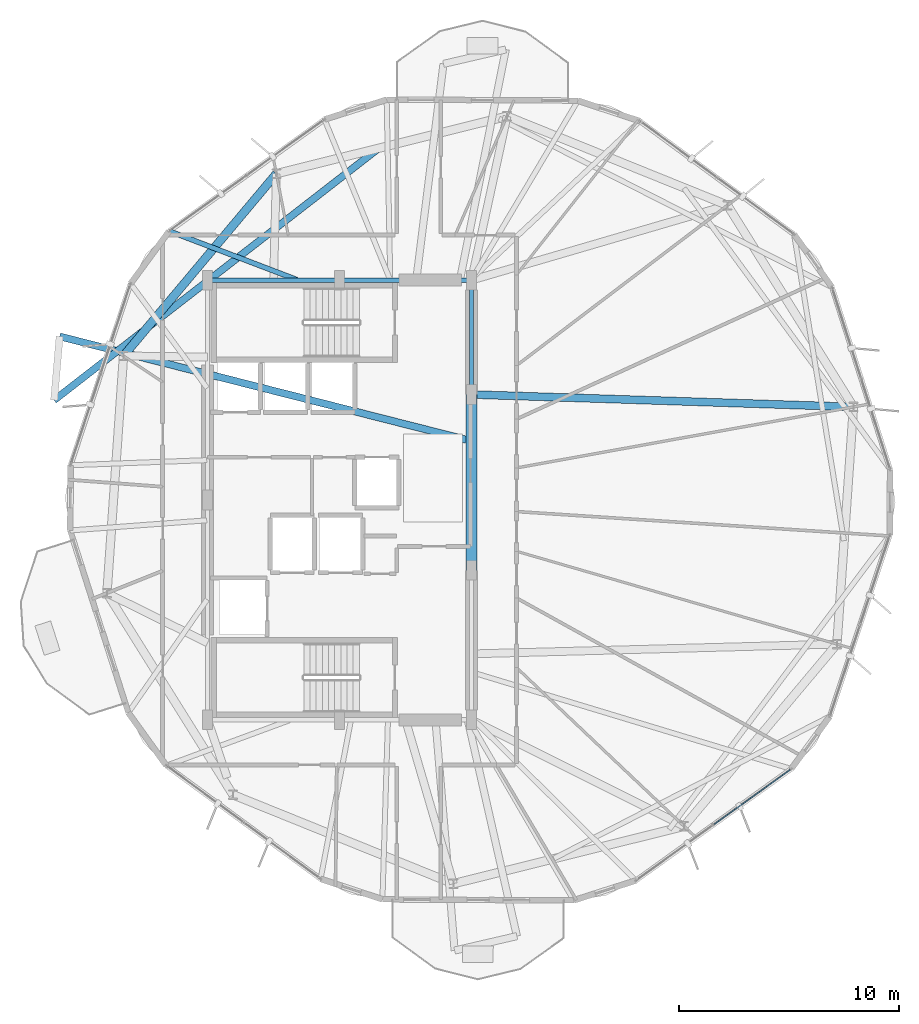
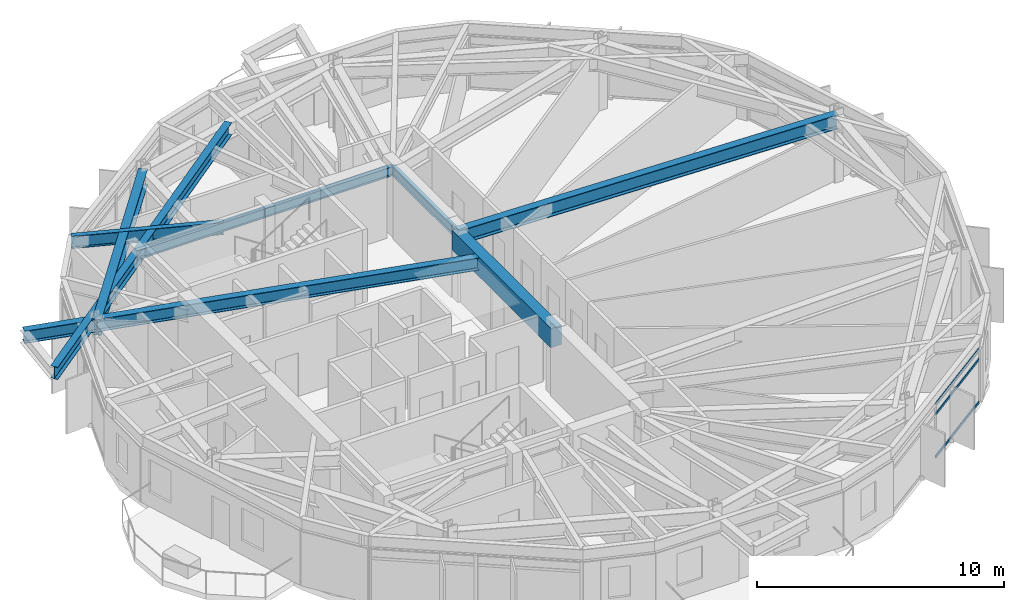
# One storey, part 7 of 24: 9 beams, 3 members, 1 element without a shape of its own.
"""IFC4 building model written with IfcOpenShell, lengths in metres."""

from ifc_helpers import new_model, si_unit, direction, frame, origin, origin_2d, place, context, subcontext, project, spatial, rectangle, hollow_rectangle, i_section, extrude, material, layer, layer_set, material_profile, profile_set, type_object, element, aggregate, save


model = new_model("IFC4")

# Units and contexts
model_context = context("Model", 3, precision=1e-05, world=origin(), true_north=direction((0.0, 1.0)))
body_context = subcontext(model_context, "Body", "Model", "MODEL_VIEW")
ifc_project = project(units=[si_unit("LENGTHUNIT", "METRE"), si_unit("AREAUNIT", "SQUARE_METRE"), si_unit("VOLUMEUNIT", "CUBIC_METRE"), si_unit("PLANEANGLEUNIT", "RADIAN"), si_unit("MASSUNIT", "GRAM", prefix="KILO")], contexts=[model_context])

# Site, building, storey
site_placement = place(None, origin())
site = spatial("IfcSite", under=ifc_project, at=site_placement, CompositionType="ELEMENT")
building_placement = place(site_placement, origin())
building = spatial("IfcBuilding", under=site, at=building_placement, Name="Soratama Intermodal Tower", CompositionType="ELEMENT")
storey_placement = place(building_placement, frame((0.0, 0.0, 164.199951171875)))
storey = spatial("IfcBuildingStorey", under=building, at=storey_placement, Name="L40", CompositionType="ELEMENT", Elevation=164.199951171875)

# Beams
ifc_material_1 = material(Name="Structural steel ASTM A992 Grade 50", Category="steel")
ifc_material_profile_1 = material_profile(ifc_material_1, i_section(OverallWidth=0.324951171875, OverallDepth=0.615966796875, WebThickness=0.013916015625, FlangeThickness=0.021484375, FilletRadius=0.013916015625, at=origin_2d()), Name="W24X117")
ifc_profile_set_1 = profile_set([ifc_material_profile_1], Name="Structural steel ASTM A992 Grade 50")
beam_type_1 = type_object("IfcBeamType", Name="BM-CANT-W24X117", PredefinedType="BEAM", material=ifc_profile_set_1)
beam_1_placement = place(storey_placement, frame((44.3720703125, 27.740966796875, 2.991943359375), z_axis=(-0.969240017785, 0.246117427105, 0.0), x_axis=(-0.246117427105, -0.969240017785, 0.0)))
element("IfcBeam", 1, at=beam_1_placement, inside=storey, type_object=beam_type_1, Name="BM-L40-CANT-2-1", PredefinedType="BEAM", context=body_context, shape_type="SweptSolid", body=[
    extrude(i_section(OverallWidth=0.324951171875, OverallDepth=0.615966796875, WebThickness=0.013916015625, FlangeThickness=0.021484375, FilletRadius=0.013916015625, at=origin_2d()), origin(), (0.0, 0.0, 1.0), 19.092529296875),
])
beam_2_placement = place(storey_placement, frame((40.35400390625, 40.97802734375, 2.991943359375), z_axis=(-0.790030397769, -0.613067672122, 0.0), x_axis=(0.613067672122, -0.790030397769, 0.0)))
element("IfcBeam", 2, at=beam_2_placement, inside=storey, type_object=beam_type_1, Name="BM-L40-CANT-2-2", PredefinedType="BEAM", context=body_context, shape_type="SweptSolid", body=[
    extrude(i_section(OverallWidth=0.324951171875, OverallDepth=0.615966796875, WebThickness=0.013916015625, FlangeThickness=0.021484375, FilletRadius=0.013916015625, at=origin_2d()), origin(), (0.0, 0.0, 1.0), 18.65380859375),
])
ifc_material_2 = material(Name="Concrete f'c 56 MPa", Category="concrete")
ifc_material_profile_2 = material_profile(ifc_material_2, rectangle(XDim=0.5, YDim=0.949951171875, at=origin_2d()), Name="RC500X950")
ifc_profile_set_2 = profile_set([ifc_material_profile_2], Name="Concrete f'c 56 MPa")
beam_type_2 = type_object("IfcBeamType", Name="BM-CPL-RC500X950", PredefinedType="BEAM", material=ifc_profile_set_2)
beam_3_placement = place(storey_placement, frame((44.60009765625, 21.800048828125, 2.824951171875), z_axis=(0.0, 1.0, 0.0), x_axis=(-1.0, 0.0, 0.0)))
element("IfcBeam", 3, at=beam_3_placement, inside=storey, type_object=beam_type_2, Name="L40 Core Coupling Beam East", PredefinedType="BEAM", context=body_context, shape_type="SweptSolid", body=[
    extrude(rectangle(XDim=0.5, YDim=0.949951171875, at=origin_2d()), origin(), (0.0, 0.0, 1.0), 8.0),
])
ifc_material_3 = material(Name="Structural steel ASTM A992 Grade 50", Category="steel")
ifc_material_profile_3 = material_profile(ifc_material_3, i_section(OverallWidth=0.19091796875, OverallDepth=0.4599609375, WebThickness=0.010009765625, FlangeThickness=0.01611328125, FilletRadius=0.010986328125, at=origin_2d()), Name="W18X55")
ifc_profile_set_3 = profile_set([ifc_material_profile_3], Name="Structural steel ASTM A992 Grade 50")
beam_type_3 = type_object("IfcBeamType", Name="BM-FLR-W18X55", PredefinedType="BEAM", material=ifc_profile_set_3)
beam_4_placement = place(storey_placement, frame((44.60009765625, 29.800048828125, 3.070068359375), z_axis=(0.0, 1.0, 0.0), x_axis=(-1.0, 0.0, 0.0)))
element("IfcBeam", 4, at=beam_4_placement, inside=storey, type_object=beam_type_3, Name="BM-L40-CRING-05", PredefinedType="BEAM", context=body_context, shape_type="SweptSolid", body=[
    extrude(i_section(OverallWidth=0.19091796875, OverallDepth=0.4599609375, WebThickness=0.010009765625, FlangeThickness=0.01611328125, FilletRadius=0.010986328125, at=origin_2d()), origin(), (0.0, 0.0, 1.0), 5.199951171875),
])
for number, where, z_axis, x_axis, name in (
    (5, (44.60009765625, 35.0, 3.070068359375), (-1.0, 0.0, 0.0), (0.0, -1.0, 0.0), "BM-L40-CRING-06"),
    (6, (38.60009765625, 35.0, 3.070068359375), (-1.0, 0.0, 0.0), (0.0, -1.0, 0.0), "BM-L40-CRING-07"),
):
    element("IfcBeam", number, at=place(storey_placement, frame(where, z_axis=z_axis, x_axis=x_axis)), inside=storey, type_object=beam_type_3, Name=name, PredefinedType="BEAM", context=body_context, shape_type="SweptSolid", body=[
        extrude(i_section(OverallWidth=0.19091796875, OverallDepth=0.4599609375, WebThickness=0.010009765625, FlangeThickness=0.01611328125, FilletRadius=0.010986328125, at=origin_2d()), origin(), (0.0, 0.0, 1.0), 6.0),
    ])
ifc_material_4 = material(Name="Structural steel ASTM A992 Grade 50", Category="steel")
ifc_material_profile_4 = material_profile(ifc_material_4, i_section(OverallWidth=0.35498046875, OverallDepth=0.695068359375, WebThickness=0.015380859375, FlangeThickness=0.02490234375, FilletRadius=0.01611328125, at=origin_2d()), Name="W27X146")
ifc_profile_set_4 = profile_set([ifc_material_profile_4], Name="Structural steel ASTM A992 Grade 50")
beam_type_4 = type_object("IfcBeamType", Name="BM-RING-W27X146", PredefinedType="BEAM", material=ifc_profile_set_4)
beam_5_placement = place(storey_placement, frame((44.60009765625, 29.800048828125, 2.95263671875), z_axis=(0.999469833309, -0.032558444449, 0.0), x_axis=(0.032558444449, 0.999469833309, 0.0)))
element("IfcBeam", 7, at=beam_5_placement, inside=storey, type_object=beam_type_4, Name="BM-L40-RAD-01", PredefinedType="BEAM", context=body_context, shape_type="SweptSolid", body=[
    extrude(i_section(OverallWidth=0.35498046875, OverallDepth=0.695068359375, WebThickness=0.015380859375, FlangeThickness=0.02490234375, FilletRadius=0.01611328125, at=origin_2d()), origin(), (0.0, 0.0, 1.0), 17.38916015625),
])
ifc_material_5 = material(Name="Structural steel ASTM A992 Grade 50", Category="steel")
ifc_material_profile_5 = material_profile(ifc_material_5, i_section(OverallWidth=0.382080078125, OverallDepth=0.779052734375, WebThickness=0.01806640625, FlangeThickness=0.030029296875, FilletRadius=0.01806640625, at=origin_2d()), Name="W30X191")
ifc_profile_set_5 = profile_set([ifc_material_profile_5], Name="Structural steel ASTM A992 Grade 50")
beam_type_5 = type_object("IfcBeamType", Name="BM-RING-W30X191", PredefinedType="BEAM", material=ifc_profile_set_5)
beam_6_placement = place(storey_placement, frame((35.72607421875, 39.841064453125, 2.91064453125), z_axis=(-0.642791781199, -0.766040942785, 0.0), x_axis=(0.766040942785, -0.642791781199, 0.0)))
element("IfcBeam", 8, at=beam_6_placement, inside=storey, type_object=beam_type_5, Name="BM-L40-RING-04", PredefinedType="BEAM", context=body_context, shape_type="SweptSolid", body=[
    extrude(i_section(OverallWidth=0.382080078125, OverallDepth=0.779052734375, WebThickness=0.01806640625, FlangeThickness=0.030029296875, FilletRadius=0.01806640625, at=origin_2d()), origin(), (0.0, 0.0, 1.0), 10.815673828125),
])
ifc_material_6 = material(Name="Structural steel ASTM A992 Grade 50", Category="steel")
ifc_material_profile_6 = material_profile(ifc_material_6, i_section(OverallWidth=0.22900390625, OverallDepth=0.612060546875, WebThickness=0.011962890625, FlangeThickness=0.01953125, FilletRadius=0.012939453125, at=origin_2d()), Name="W24X84")
ifc_profile_set_6 = profile_set([ifc_material_profile_6], Name="Structural steel ASTM A992 Grade 50")
beam_type_6 = type_object("IfcBeamType", Name="BM-TIE-W24X84", PredefinedType="BEAM", material=ifc_profile_set_6)
beam_7_placement = place(storey_placement, frame((36.679931640625, 35.013916015625, 2.994140625), z_axis=(-0.934516875199, 0.355918824971, 0.0), x_axis=(-0.355918824971, -0.934516875199, 0.0)))
element("IfcBeam", 9, at=beam_7_placement, inside=storey, type_object=beam_type_6, Name="BM-L40-TIE1-03", PredefinedType="BEAM", context=body_context, shape_type="SweptSolid", body=[
    extrude(i_section(OverallWidth=0.22900390625, OverallDepth=0.612060546875, WebThickness=0.011962890625, FlangeThickness=0.01953125, FilletRadius=0.012939453125, at=origin_2d()), origin(), (0.0, 0.0, 1.0), 6.2373046875),
])

# Curtain wall, members
ifc_material_7 = material(Name="Double-glazed aluminium curtain wall", Category="aluminium")
ifc_layer = layer(ifc_material_7, 0.159912109375)
ifc_layer_set = layer_set([ifc_layer], Name="Double-glazed aluminium curtain wall")
curtain_wall_type = type_object("IfcCurtainWallType", Name="CW-SYS-4", PredefinedType="NOTDEFINED", material=ifc_layer_set)
curtain_wall_placement = place(storey_placement, origin())
curtain_wall = element("IfcCurtainWall", 10, at=curtain_wall_placement, inside=storey, type_object=curtain_wall_type, Name="L40 Faceted Curtain Wall F08", PredefinedType="NOTDEFINED")
ifc_material_8 = material(Name="Anodised aluminium AA 6063-T6", Category="aluminium")
ifc_material_profile_7 = material_profile(ifc_material_8, hollow_rectangle(XDim=0.06005859375, YDim=0.1298828125, WallThickness=0.0048828125, InnerFilletRadius=0.0048828125, OuterFilletRadius=0.010009765625, at=origin_2d()), Name="CWT130X60X5")
ifc_profile_set_7 = profile_set([ifc_material_profile_7], Name="Anodised aluminium AA 6063-T6")
member_type = type_object("IfcMemberType", Name="TT-CWT-2", PredefinedType="USERDEFINED", material=ifc_profile_set_7)
member_1_placement = place(storey_placement, frame((55.64013671875, 10.243896484375, 0.030029296875), z_axis=(0.812077304252, 0.583549870978, 0.0), x_axis=(-0.583549870978, 0.812077304252, 0.0)))
member_1 = element("IfcMember", 11, at=member_1_placement, type_object=member_type, Name="CW-4 transom 2.1", ObjectType="TRANSOM", PredefinedType="USERDEFINED", context=body_context, shape_type="SweptSolid", body=[
    extrude(hollow_rectangle(XDim=0.06005859375, YDim=0.1298828125, WallThickness=0.0048828125, InnerFilletRadius=0.0048828125, OuterFilletRadius=0.010009765625, at=origin_2d()), origin(), (0.0, 0.0, 1.0), 4.261474609375),
])
member_2_placement = place(storey_placement, frame((55.64013671875, 10.243896484375, 2.150146484375), z_axis=(0.812077304252, 0.583549870978, 0.0), x_axis=(-0.583549870978, 0.812077304252, 0.0)))
member_2 = element("IfcMember", 12, at=member_2_placement, type_object=member_type, Name="CW-4 transom 2.2", ObjectType="TRANSOM", PredefinedType="USERDEFINED", context=body_context, shape_type="SweptSolid", body=[
    extrude(hollow_rectangle(XDim=0.06005859375, YDim=0.1298828125, WallThickness=0.0048828125, InnerFilletRadius=0.0048828125, OuterFilletRadius=0.010009765625, at=origin_2d()), origin(), (0.0, 0.0, 1.0), 4.261474609375),
])
member_3_placement = place(storey_placement, frame((55.64013671875, 10.243896484375, 2.649169921875), z_axis=(0.812077304252, 0.583549870978, 0.0), x_axis=(-0.583549870978, 0.812077304252, 0.0)))
member_3 = element("IfcMember", 13, at=member_3_placement, type_object=member_type, Name="CW-4 transom 2.3", ObjectType="TRANSOM", PredefinedType="USERDEFINED", context=body_context, shape_type="SweptSolid", body=[
    extrude(hollow_rectangle(XDim=0.06005859375, YDim=0.1298828125, WallThickness=0.0048828125, InnerFilletRadius=0.0048828125, OuterFilletRadius=0.010009765625, at=origin_2d()), origin(), (0.0, 0.0, 1.0), 4.261474609375),
])
aggregate(curtain_wall, [member_1, member_2, member_3])

save(model, "model.ifc")
